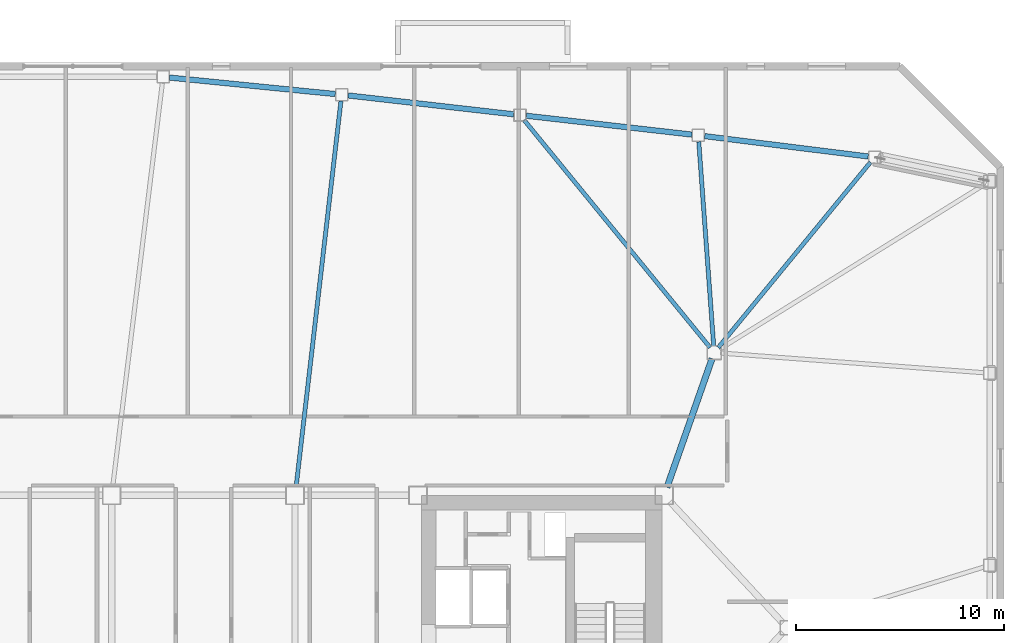
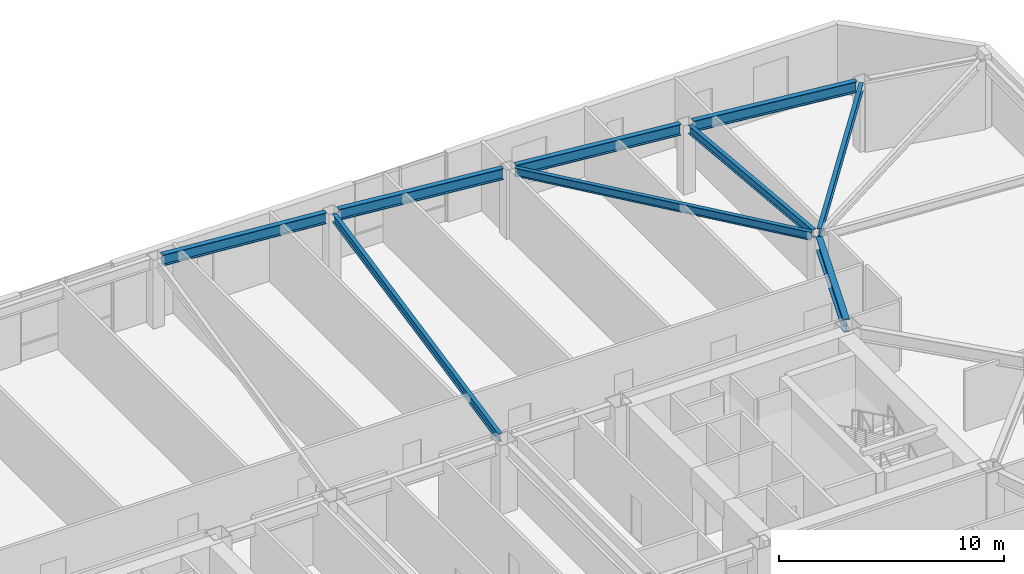
# One storey, part 7 of 19: 9 beams.
"""IFC4 building model written with IfcOpenShell, lengths in metres."""

import ifcopenshell
import ifcopenshell.guid

model = None  # the IFC model being written
_history = None  # IfcOwnerHistory: only IFC2X3 demands one
_inside = {}  # id of a spatial element -> (the spatial element, [elements in it])
_under = {}  # id of a project, library or spatial element -> (it, [spatial elements below it])
_declared = {}  # id of a project -> (the project, [libraries it declares])
_typed = {}  # id of a type object -> (the type object, [elements of that type])
_made_of = {}  # id of a material, layer set ... -> (it, [elements and type objects made of it])


def new_model(schema):
    """Start an empty IFC model of exactly this schema.

    Asked for "IFC4X3", IfcOpenShell would pick the latest addendum, in which some entities
    have other attributes; the version numbers below select the first issue.
    IFC2X3 requires an IfcOwnerHistory on every rooted entity: one is made here for all.
    """
    global model, _history
    if schema == "IFC4X3":
        model = ifcopenshell.file(schema_version=(4, 3, 0, 0))
    else:
        model = ifcopenshell.file(schema=schema)
    _inside.clear()
    _under.clear()
    _declared.clear()
    _typed.clear()
    _made_of.clear()
    _history = None
    if model.schema == "IFC2X3":
        org = make("IfcOrganization", Name="unknown")
        user = make(
            "IfcPersonAndOrganization",
            ThePerson=make("IfcPerson", FamilyName="unknown"),
            TheOrganization=org,
        )
        app = make(
            "IfcApplication",
            ApplicationDeveloper=org,
            Version="unknown",
            ApplicationFullName="unknown",
            ApplicationIdentifier="unknown",
        )
        _history = make(
            "IfcOwnerHistory",
            OwningUser=user,
            OwningApplication=app,
            ChangeAction="ADDED",
            CreationDate=0,
        )
    return model


def make(cls, **values):
    """One entity of the class cls with the attributes given. An attribute that is None is left unset."""
    return model.create_entity(
        cls, **{name: value for name, value in values.items() if value is not None}
    )


def rooted(cls, **values):
    """An entity with a GlobalId (a new one), such as an element, a storey or a relation."""
    return make(cls, GlobalId=ifcopenshell.guid.new(), OwnerHistory=_history, **values)


def si_unit(unit_type, name, prefix=None):
    """IfcSIUnit, for example si_unit("LENGTHUNIT", "METRE", prefix="MILLI")."""
    return make("IfcSIUnit", UnitType=unit_type, Prefix=prefix, Name=name)


def assignment(units):
    """IfcUnitAssignment: the units of a project."""
    return None if units is None else make("IfcUnitAssignment", Units=units)


def point(xyz):
    """IfcCartesianPoint."""
    return None if xyz is None else make("IfcCartesianPoint", Coordinates=xyz)


def direction(xyz):
    """IfcDirection."""
    return None if xyz is None else make("IfcDirection", DirectionRatios=xyz)


def frame(location, z_axis=None, x_axis=None):
    """IfcAxis2Placement3D, a coordinate frame: its origin and axes. An axis left out is left unset."""
    return make(
        "IfcAxis2Placement3D",
        Location=point(location),
        Axis=direction(z_axis),
        RefDirection=direction(x_axis),
    )


def frame_2d(location, x_axis=None):
    """IfcAxis2Placement2D, a coordinate frame in the plane: its origin and x axis."""
    return make(
        "IfcAxis2Placement2D", Location=point(location), RefDirection=direction(x_axis)
    )


def origin():
    """The frame at (0, 0, 0) with its axes left unset."""
    return frame((0.0, 0.0, 0.0))


def origin_2d():
    """The frame at (0, 0) in the plane with its x axis left unset."""
    return frame_2d((0.0, 0.0))


def place(relative_to, where):
    """IfcLocalPlacement: puts the frame where relative to a parent placement (None: the world)."""
    return make(
        "IfcLocalPlacement", PlacementRelTo=relative_to, RelativePlacement=where
    )


def context(
    kind, dimensions, precision=None, world=None, true_north=None, identifier=None
):
    """IfcGeometricRepresentationContext, for example the 3D "Model" context."""
    return make(
        "IfcGeometricRepresentationContext",
        ContextIdentifier=identifier,
        ContextType=kind,
        CoordinateSpaceDimension=dimensions,
        Precision=precision,
        WorldCoordinateSystem=world,
        TrueNorth=true_north,
    )


def subcontext(parent, identifier, kind, view, scale=None):
    """IfcGeometricRepresentationSubContext, for example "Body" below "Model"."""
    return make(
        "IfcGeometricRepresentationSubContext",
        ContextIdentifier=identifier,
        ContextType=kind,
        ParentContext=parent,
        TargetScale=scale,
        TargetView=view,
    )


def project(units=None, contexts=None):
    """IfcProject with its units and contexts."""
    return rooted(
        "IfcProject",
        Name="project",
        RepresentationContexts=contexts,
        UnitsInContext=assignment(units),
    )


def spatial(cls, under=None, at=None, **own):
    """A site, building, storey or space (cls), placed at a placement, below another one or the project."""
    s = rooted(cls, ObjectPlacement=at, **own)
    if under is not None:
        _under.setdefault(under.id(), (under, []))[1].append(s)
    return s


def profile(cls, at=None, kind="AREA", **sizes):
    """A parametric profile (cls). Its sizes go by their IFC names, for example OverallWidth=200.0."""
    return make(cls, ProfileType=kind, Position=at, **sizes)


def i_section(**sizes):
    """IfcIShapeProfileDef."""
    return profile("IfcIShapeProfileDef", **sizes)


def extrude(swept, where, along, depth):
    """IfcExtrudedAreaSolid: the profile swept, set in the frame where, extruded along a direction by depth."""
    return make(
        "IfcExtrudedAreaSolid",
        SweptArea=swept,
        Position=where,
        ExtrudedDirection=direction(along),
        Depth=depth,
    )


def shape(context_of_items, identifier, shape_type, items):
    """IfcShapeRepresentation: the items that make up one representation, for example the "Body"."""
    return make(
        "IfcShapeRepresentation",
        ContextOfItems=context_of_items,
        RepresentationIdentifier=identifier,
        RepresentationType=shape_type,
        Items=items,
    )


def material(Name=None, Category=None):
    """IfcMaterial."""
    return make("IfcMaterial", Name=Name, Category=Category)


def material_profile(
    of_material, cross_section, Name=None, Category=None, Priority=None
):
    """IfcMaterialProfile: a cross section and its material."""
    return make(
        "IfcMaterialProfile",
        Name=Name,
        Material=of_material,
        Profile=cross_section,
        Priority=Priority,
        Category=Category,
    )


def profile_set(profiles, Name=None, composite=None):
    """IfcMaterialProfileSet."""
    return make(
        "IfcMaterialProfileSet",
        Name=Name,
        MaterialProfiles=profiles,
        CompositeProfile=composite,
    )


def made_of(thing, what):
    """Note that an element or type object is made of a material, layer set ...; save() writes the relation."""
    if what is not None:
        _made_of.setdefault(what.id(), (what, []))[1].append(thing)
    return thing


def type_object(cls, material=None, **own):
    """A type object (cls), such as IfcWallType, which elements share."""
    return made_of(rooted(cls, **own), material)


def element(
    cls,
    number,
    at=None,
    inside=None,
    cuts=None,
    type_object=None,
    material=None,
    context=None,
    identifier="Body",
    shape_type=None,
    held_by="IfcProductDefinitionShape",
    body=None,
    shapes=None,
    **own,
):
    """One element of the class cls, such as IfcWall. Its Tag is "e" and its number.

    at: its placement. inside: the storey or other place that contains it. cuts: it is an
    opening in that element (IfcRelVoidsElement). A single representation is given by context,
    identifier, shape_type and body (its items); several are given by shapes. held_by: the class
    of the entity that holds the representations. save() writes the other relations.
    """
    e = rooted(cls, Tag="e%d" % number, ObjectPlacement=at, **own)
    if body is not None:
        shapes = [shape(context, identifier, shape_type, body)]
    if shapes is not None:
        e.Representation = make(held_by, Representations=shapes)
    if inside is not None:
        _inside.setdefault(inside.id(), (inside, []))[1].append(e)
    if cuts is not None:
        rooted(
            "IfcRelVoidsElement", RelatingBuildingElement=cuts, RelatedOpeningElement=e
        )
    if type_object is not None:
        _typed.setdefault(type_object.id(), (type_object, []))[1].append(e)
    return made_of(e, material)


def aggregate(whole, parts):
    """IfcRelAggregates: a whole, such as a stair, and the parts it consists of."""
    return rooted("IfcRelAggregates", RelatingObject=whole, RelatedObjects=parts)


def save(model, path):
    """Write the relations noted so far, then the file.

    IfcRelAggregates (storeys below a building ...), IfcRelContainedInSpatialStructure (elements
    in a storey), IfcRelDefinesByType, IfcRelAssociatesMaterial and IfcRelDeclares: one each for
    every whole, place, type object, material and project.
    """
    for whole, parts in _under.values():
        aggregate(whole, parts)
    for where, things in _inside.values():
        rooted(
            "IfcRelContainedInSpatialStructure",
            RelatedElements=things,
            RelatingStructure=where,
        )
    for kind, things in _typed.values():
        rooted("IfcRelDefinesByType", RelatedObjects=things, RelatingType=kind)
    for what, things in _made_of.values():
        rooted("IfcRelAssociatesMaterial", RelatedObjects=things, RelatingMaterial=what)
    for by, libraries in _declared.values():
        rooted("IfcRelDeclares", RelatingContext=by, RelatedDefinitions=libraries)
    model.write(path)


model = new_model("IFC4")

# Units and contexts
model_context = context("Model", 3, precision=1e-05, world=origin(), true_north=direction((0.0, 1.0)))
body_context = subcontext(model_context, "Body", "Model", "MODEL_VIEW")
ifc_project = project(units=[si_unit("LENGTHUNIT", "METRE"), si_unit("AREAUNIT", "SQUARE_METRE"), si_unit("VOLUMEUNIT", "CUBIC_METRE"), si_unit("PLANEANGLEUNIT", "RADIAN"), si_unit("MASSUNIT", "GRAM", prefix="KILO")], contexts=[model_context])

# Site, building, storey
site_placement = place(None, origin())
site = spatial("IfcSite", under=ifc_project, at=site_placement, CompositionType="ELEMENT")
building_placement = place(site_placement, origin())
building = spatial("IfcBuilding", under=site, at=building_placement, Name="Tavrogorsk Clinical Tower", CompositionType="ELEMENT")
storey_placement = place(building_placement, frame((0.0, 0.0, 188.199951171875)))
storey = spatial("IfcBuildingStorey", under=building, at=storey_placement, Name="L43", CompositionType="ELEMENT", Elevation=188.199951171875)

# Beams
ifc_material_1 = material(Name="Structural steel S355", Category="steel")
ifc_material_profile_1 = material_profile(ifc_material_1, i_section(OverallWidth=0.199951171875, OverallDepth=0.449951171875, WebThickness=0.011474609375, FlangeThickness=0.01806640625, at=origin_2d()), Name="B-450x200x11.5x18")
ifc_profile_set_1 = profile_set([ifc_material_profile_1], Name="Structural steel S355")
beam_type_1 = type_object("IfcBeamType", Name="FloorBeam_B450", PredefinedType="BEAM", material=ifc_profile_set_1)
beam_1_placement = place(storey_placement, frame((24.69677734375, 13.439453125, 3.51513671875), z_axis=(0.634628511763, 0.772817347151, 0.0), x_axis=(-0.772817347151, 0.634628511763, 0.0)))
element("IfcBeam", 1, at=beam_1_placement, inside=storey, type_object=beam_type_1, Name="L43 Radial Floor Beam N1", PredefinedType="BEAM", context=body_context, shape_type="SweptSolid", body=[
    extrude(i_section(OverallWidth=0.199951171875, OverallDepth=0.449951171875, WebThickness=0.011474609375, FlangeThickness=0.01806640625, at=origin_2d()), origin(), (0.0, 0.0, 1.0), 11.501220703125),
])
beam_2_placement = place(storey_placement, frame((24.477294921875, 13.50927734375, 3.51513671875), z_axis=(-0.072962981763, 0.9973346496, 0.0), x_axis=(-0.9973346496, -0.072962981763, 0.0)))
element("IfcBeam", 2, at=beam_2_placement, inside=storey, type_object=beam_type_1, Name="L43 Radial Floor Beam N2", PredefinedType="BEAM", context=body_context, shape_type="SweptSolid", body=[
    extrude(i_section(OverallWidth=0.199951171875, OverallDepth=0.449951171875, WebThickness=0.011474609375, FlangeThickness=0.01806640625, at=origin_2d()), origin(), (0.0, 0.0, 1.0), 9.827392578125),
])
beam_3_placement = place(storey_placement, frame((24.3037109375, 13.43994140625, 3.51513671875), z_axis=(-0.632955765669, 0.774187960838, 0.0), x_axis=(-0.774187960838, -0.632955765669, 0.0)))
element("IfcBeam", 3, at=beam_3_placement, inside=storey, type_object=beam_type_1, Name="L43 Radial Floor Beam N3", PredefinedType="BEAM", context=body_context, shape_type="SweptSolid", body=[
    extrude(i_section(OverallWidth=0.199951171875, OverallDepth=0.449951171875, WebThickness=0.011474609375, FlangeThickness=0.01806640625, at=origin_2d()), origin(), (0.0, 0.0, 1.0), 14.09716796875),
])
beam_4_placement = place(storey_placement, frame((4.447265625, 6.75732421875, 3.51513671875), z_axis=(0.115490633481, 0.993308569166, 0.0), x_axis=(-0.993308569166, 0.115490633481, 0.0)))
element("IfcBeam", 4, at=beam_4_placement, inside=storey, type_object=beam_type_1, Name="L43 Radial Floor Beam N4", PredefinedType="BEAM", context=body_context, shape_type="SweptSolid", body=[
    extrude(i_section(OverallWidth=0.199951171875, OverallDepth=0.449951171875, WebThickness=0.011474609375, FlangeThickness=0.01806640625, at=origin_2d()), origin(), (0.0, 0.0, 1.0), 18.628173828125),
])
ifc_material_2 = material(Name="Structural steel S390", Category="steel")
ifc_material_profile_2 = material_profile(ifc_material_2, i_section(OverallWidth=0.300048828125, OverallDepth=0.699951171875, WebThickness=0.01708984375, FlangeThickness=0.028076171875, at=origin_2d()), Name="B-700x300x17x28")
ifc_profile_set_2 = profile_set([ifc_material_profile_2], Name="Structural steel S390")
beam_type_2 = type_object("IfcBeamType", Name="PrimaryGirder_B700", PredefinedType="USERDEFINED", material=ifc_profile_set_2)
beam_5_placement = place(storey_placement, frame((24.3974609375, 12.907470703125, 3.39013671875), z_axis=(-0.33065312634, -0.94375235631, 0.0), x_axis=(0.94375235631, -0.33065312634, 0.0)))
element("IfcBeam", 5, at=beam_5_placement, inside=storey, type_object=beam_type_2, Name="L43 Spine Link Girder OPG-4", ObjectType="GIRDER", PredefinedType="USERDEFINED", context=body_context, shape_type="SweptSolid", body=[
    extrude(i_section(OverallWidth=0.300048828125, OverallDepth=0.699951171875, WebThickness=0.01708984375, FlangeThickness=0.028076171875, at=origin_2d()), origin(), (0.0, 0.0, 1.0), 6.5380859375),
])
ifc_material_3 = material(Name="Structural steel S390", Category="steel")
ifc_material_profile_3 = material_profile(ifc_material_3, i_section(OverallWidth=0.260009765625, OverallDepth=0.60009765625, WebThickness=0.014892578125, FlangeThickness=0.02392578125, at=origin_2d()), Name="B-600x260x15x24")
ifc_profile_set_3 = profile_set([ifc_material_profile_3], Name="Structural steel S390")
beam_type_3 = type_object("IfcBeamType", Name="SpandrelBeam_B600", PredefinedType="SPANDREL", material=ifc_profile_set_3)
beam_6_placement = place(storey_placement, frame((31.8857421875, 22.60400390625, 3.43994140625), z_axis=(-0.992347112015, 0.123479590521, 0.0), x_axis=(-0.123479590521, -0.992347112015, 0.0)))
element("IfcBeam", 6, at=beam_6_placement, inside=storey, type_object=beam_type_3, Name="L43 Perimeter Spandrel N1-N2", PredefinedType="SPANDREL", context=body_context, shape_type="SweptSolid", body=[
    extrude(i_section(OverallWidth=0.260009765625, OverallDepth=0.60009765625, WebThickness=0.014892578125, FlangeThickness=0.02392578125, at=origin_2d()), origin(), (0.0, 0.0, 1.0), 7.90283203125),
])
beam_7_placement = place(storey_placement, frame((23.431884765625, 23.652587890625, 3.43994140625), z_axis=(-0.993569841398, 0.113220891465, 0.0), x_axis=(-0.113220891465, -0.993569841398, 0.0)))
element("IfcBeam", 7, at=beam_7_placement, inside=storey, type_object=beam_type_3, Name="L43 Perimeter Spandrel N2-N3", PredefinedType="SPANDREL", context=body_context, shape_type="SweptSolid", body=[
    extrude(i_section(OverallWidth=0.260009765625, OverallDepth=0.60009765625, WebThickness=0.014892578125, FlangeThickness=0.02392578125, at=origin_2d()), origin(), (0.0, 0.0, 1.0), 7.9912109375),
])
beam_8_placement = place(storey_placement, frame((14.8798828125, 24.626953125, 3.43994140625), z_axis=(-0.993569449752, 0.113224328304, 0.0), x_axis=(-0.113224328304, -0.993569449752, 0.0)))
element("IfcBeam", 8, at=beam_8_placement, inside=storey, type_object=beam_type_3, Name="L43 Perimeter Spandrel N3-N4", PredefinedType="SPANDREL", context=body_context, shape_type="SweptSolid", body=[
    extrude(i_section(OverallWidth=0.260009765625, OverallDepth=0.60009765625, WebThickness=0.014892578125, FlangeThickness=0.02392578125, at=origin_2d()), origin(), (0.0, 0.0, 1.0), 7.990966796875),
])
beam_9_placement = place(storey_placement, frame((6.32763671875, 25.59716796875, 3.43994140625), z_axis=(-0.995074624158, 0.099128665666, 0.0), x_axis=(-0.099128665666, -0.995074624158, 0.0)))
element("IfcBeam", 9, at=beam_9_placement, inside=storey, type_object=beam_type_3, Name="L43 Perimeter Spandrel N4-N5", PredefinedType="SPANDREL", context=body_context, shape_type="SweptSolid", body=[
    extrude(i_section(OverallWidth=0.260009765625, OverallDepth=0.60009765625, WebThickness=0.014892578125, FlangeThickness=0.02392578125, at=origin_2d()), origin(), (0.0, 0.0, 1.0), 7.991943359375),
])

save(model, "model.ifc")
